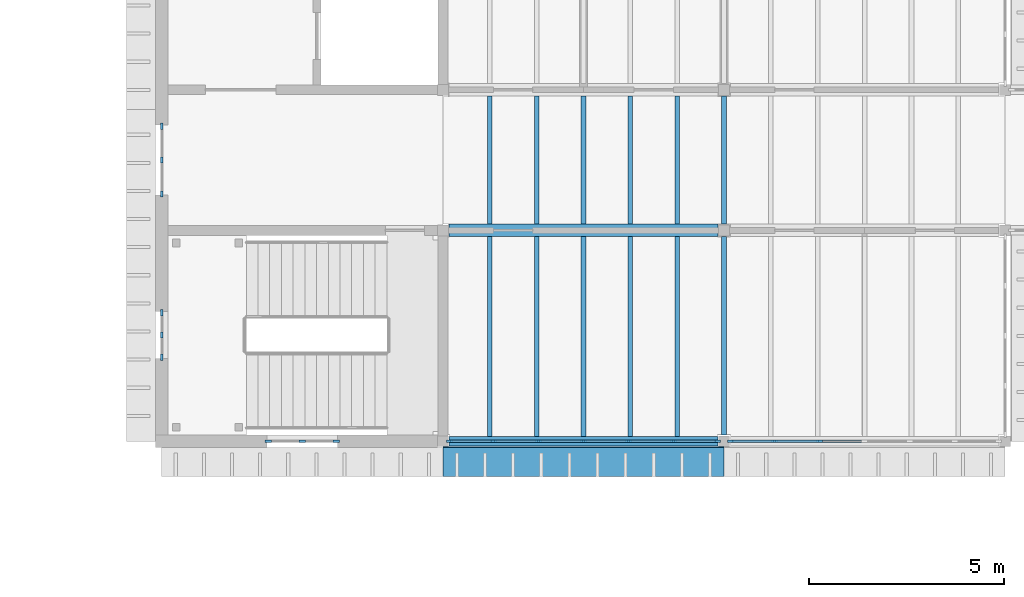
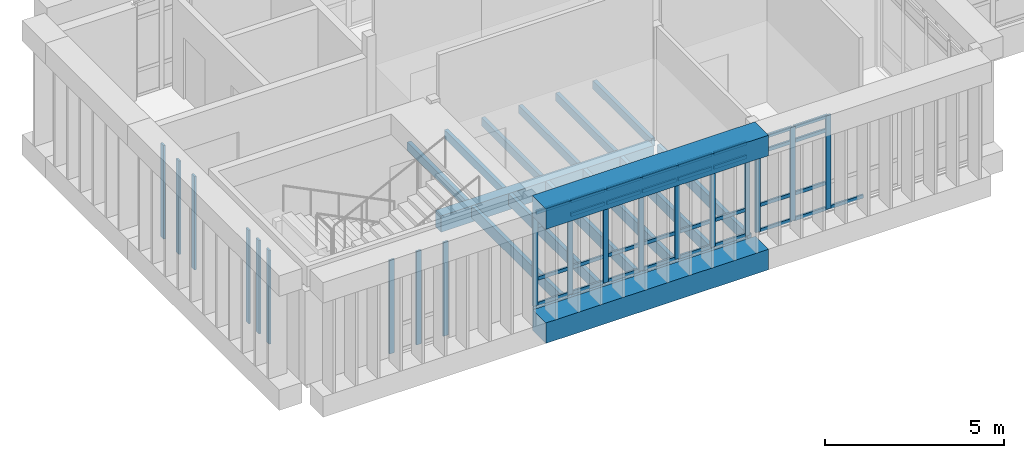
# One storey, part 6 of 51: 54 members, 14 beams, 5 elements without a shape of their own.
"""IFC4 building model written with IfcOpenShell, lengths in metres."""

from ifc_helpers import new_model, si_unit, direction, frame, origin, origin_2d, place, context, subcontext, project, spatial, rectangle, extrude, material, layer, layer_set, material_profile, profile_set, type_object, element, aggregate, save


model = new_model("IFC4")

# Units and contexts
model_context = context("Model", 3, precision=1e-05, world=origin(), true_north=direction((0.0, 1.0)))
body_context = subcontext(model_context, "Body", "Model", "MODEL_VIEW")
ifc_project = project(units=[si_unit("LENGTHUNIT", "METRE"), si_unit("AREAUNIT", "SQUARE_METRE"), si_unit("VOLUMEUNIT", "CUBIC_METRE"), si_unit("PLANEANGLEUNIT", "RADIAN"), si_unit("MASSUNIT", "GRAM", prefix="KILO")], contexts=[model_context])

# Site, building, storey
site_placement = place(None, origin())
site = spatial("IfcSite", under=ifc_project, at=site_placement, CompositionType="ELEMENT")
building_placement = place(site_placement, origin())
building = spatial("IfcBuilding", under=site, at=building_placement, Name="Mazhai Court Health Centre", CompositionType="ELEMENT")
storey_placement = place(building_placement, frame((0.0, 0.0, 14.10009765625)))
storey = spatial("IfcBuildingStorey", under=building, at=storey_placement, Name="L03", CompositionType="ELEMENT", Elevation=14.10009765625)

# Curtain wall, members
ifc_material_1 = material(Name="Teak timber frame, glazed", Category="wood")
ifc_layer_1 = layer(ifc_material_1, 0.10009765625)
ifc_layer_set_1 = layer_set([ifc_layer_1], Name="CURTAIN WALL TIMBER 900")
curtain_wall_type_1 = type_object("IfcCurtainWallType", Name="CURTAIN WALL TIMBER 900", PredefinedType="NOTDEFINED", material=ifc_layer_set_1)
curtain_wall_1_placement = place(storey_placement, origin())
curtain_wall_1 = element("IfcCurtainWall", 1, at=curtain_wall_1_placement, inside=storey, type_object=curtain_wall_type_1, Name="CW-V4-L03-A0", PredefinedType="NOTDEFINED")
ifc_material_2 = material(Name="Teak timber", Category="wood")
ifc_material_profile_1 = material_profile(ifc_material_2, rectangle(XDim=0.06005859375, YDim=0.159912109375, at=origin_2d()), Name="CW MULLION 60x160")
ifc_profile_set_1 = profile_set([ifc_material_profile_1], Name="Teak timber")
member_type_1 = type_object("IfcMemberType", Name="CW MULLION 60x160", PredefinedType="MULLION", material=ifc_profile_set_1)
member_1_placement = place(storey_placement, frame((75.469970703125, 13.39990234375, 0.0), z_axis=(0.0, 0.0, 1.0), x_axis=(0.0, -1.0, 0.0)))
member_1 = element("IfcMember", 2, at=member_1_placement, type_object=member_type_1, Name="CW mullion 1", PredefinedType="MULLION", context=body_context, shape_type="SweptSolid", body=[
    extrude(rectangle(XDim=0.06005859375, YDim=0.159912109375, at=origin_2d()), origin(), (0.0, 0.0, 1.0), 3.199951171875),
])
member_2_placement = place(storey_placement, frame((74.60009765625, 13.39990234375, 0.0), z_axis=(0.0, 0.0, 1.0), x_axis=(0.0, -1.0, 0.0)))
member_2 = element("IfcMember", 3, at=member_2_placement, type_object=member_type_1, Name="CW mullion 2", PredefinedType="MULLION", context=body_context, shape_type="SweptSolid", body=[
    extrude(rectangle(XDim=0.06005859375, YDim=0.159912109375, at=origin_2d()), origin(), (0.0, 0.0, 1.0), 3.199951171875),
])
member_3_placement = place(storey_placement, frame((73.72998046875, 13.39990234375, 0.0), z_axis=(0.0, 0.0, 1.0), x_axis=(0.0, -1.0, 0.0)))
member_3 = element("IfcMember", 4, at=member_3_placement, type_object=member_type_1, Name="CW mullion 3", PredefinedType="MULLION", context=body_context, shape_type="SweptSolid", body=[
    extrude(rectangle(XDim=0.06005859375, YDim=0.159912109375, at=origin_2d()), origin(), (0.0, 0.0, 1.0), 3.199951171875),
])
aggregate(curtain_wall_1, [member_1, member_2, member_3])

ifc_material_3 = material(Name="Teak timber frame, glazed", Category="wood")
ifc_layer_2 = layer(ifc_material_3, 0.10009765625)
ifc_layer_set_2 = layer_set([ifc_layer_2], Name="CURTAIN WALL TIMBER 600")
curtain_wall_type_2 = type_object("IfcCurtainWallType", Name="CURTAIN WALL TIMBER 600", PredefinedType="NOTDEFINED", material=ifc_layer_set_2)
curtain_wall_2_placement = place(storey_placement, origin())
curtain_wall_2 = element("IfcCurtainWall", 5, at=curtain_wall_2_placement, inside=storey, type_object=curtain_wall_type_2, Name="CW-V4-L03-SSTAIR0", PredefinedType="NOTDEFINED")
member_4_placement = place(storey_placement, frame((71.0, 15.550048828125, 0.0), z_axis=(0.0, 0.0, 1.0), x_axis=(-1.0, 0.0, 0.0)))
member_4 = element("IfcMember", 6, at=member_4_placement, type_object=member_type_1, Name="CW mullion 1", PredefinedType="MULLION", context=body_context, shape_type="SweptSolid", body=[
    extrude(rectangle(XDim=0.06005859375, YDim=0.159912109375, at=origin_2d()), origin(), (0.0, 0.0, 1.0), 3.199951171875),
])
member_5_placement = place(storey_placement, frame((71.0, 16.1201171875, 0.0), z_axis=(0.0, 0.0, 1.0), x_axis=(-1.0, 0.0, 0.0)))
member_5 = element("IfcMember", 7, at=member_5_placement, type_object=member_type_1, Name="CW mullion 2", PredefinedType="MULLION", context=body_context, shape_type="SweptSolid", body=[
    extrude(rectangle(XDim=0.06005859375, YDim=0.159912109375, at=origin_2d()), origin(), (0.0, 0.0, 1.0), 3.199951171875),
])
member_6_placement = place(storey_placement, frame((71.0, 16.68994140625, 0.0), z_axis=(0.0, 0.0, 1.0), x_axis=(-1.0, 0.0, 0.0)))
member_6 = element("IfcMember", 8, at=member_6_placement, type_object=member_type_1, Name="CW mullion 3", PredefinedType="MULLION", context=body_context, shape_type="SweptSolid", body=[
    extrude(rectangle(XDim=0.06005859375, YDim=0.159912109375, at=origin_2d()), origin(), (0.0, 0.0, 1.0), 3.199951171875),
])
aggregate(curtain_wall_2, [member_4, member_5, member_6])

curtain_wall_3_placement = place(storey_placement, origin())
curtain_wall_3 = element("IfcCurtainWall", 9, at=curtain_wall_3_placement, inside=storey, type_object=curtain_wall_type_1, Name="CW-V4-L03-SLIFT1", PredefinedType="NOTDEFINED")
member_7_placement = place(storey_placement, frame((71.0, 19.72998046875, 0.0), z_axis=(0.0, 0.0, 1.0), x_axis=(-1.0, 0.0, 0.0)))
member_7 = element("IfcMember", 10, at=member_7_placement, type_object=member_type_1, Name="CW mullion 1", PredefinedType="MULLION", context=body_context, shape_type="SweptSolid", body=[
    extrude(rectangle(XDim=0.06005859375, YDim=0.159912109375, at=origin_2d()), origin(), (0.0, 0.0, 1.0), 3.199951171875),
])
member_8_placement = place(storey_placement, frame((71.0, 20.60009765625, 0.0), z_axis=(0.0, 0.0, 1.0), x_axis=(-1.0, 0.0, 0.0)))
member_8 = element("IfcMember", 11, at=member_8_placement, type_object=member_type_1, Name="CW mullion 2", PredefinedType="MULLION", context=body_context, shape_type="SweptSolid", body=[
    extrude(rectangle(XDim=0.06005859375, YDim=0.159912109375, at=origin_2d()), origin(), (0.0, 0.0, 1.0), 3.199951171875),
])
member_9_placement = place(storey_placement, frame((71.0, 21.469970703125, 0.0), z_axis=(0.0, 0.0, 1.0), x_axis=(-1.0, 0.0, 0.0)))
member_9 = element("IfcMember", 12, at=member_9_placement, type_object=member_type_1, Name="CW mullion 3", PredefinedType="MULLION", context=body_context, shape_type="SweptSolid", body=[
    extrude(rectangle(XDim=0.06005859375, YDim=0.159912109375, at=origin_2d()), origin(), (0.0, 0.0, 1.0), 3.199951171875),
])
aggregate(curtain_wall_3, [member_7, member_8, member_9])

ifc_material_4 = material(Name="Teak timber frame, glazed", Category="wood")
ifc_layer_3 = layer(ifc_material_4, 0.10009765625)
ifc_layer_set_3 = layer_set([ifc_layer_3], Name="CURTAIN WALL TIMBER 1200")
curtain_wall_type_3 = type_object("IfcCurtainWallType", Name="CURTAIN WALL TIMBER 1200", PredefinedType="NOTDEFINED", material=ifc_layer_set_3)
curtain_wall_4_placement = place(storey_placement, origin())
curtain_wall_4 = element("IfcCurtainWall", 13, at=curtain_wall_4_placement, inside=storey, type_object=curtain_wall_type_3, Name="CW-V4-L03-A1", PredefinedType="NOTDEFINED")
member_10_placement = place(storey_placement, frame((85.22998046875, 13.39990234375, 0.0), z_axis=(0.0, 0.0, 1.0), x_axis=(0.0, -1.0, 0.0)))
member_10 = element("IfcMember", 14, at=member_10_placement, type_object=member_type_1, Name="CW mullion 1", PredefinedType="MULLION", context=body_context, shape_type="SweptSolid", body=[
    extrude(rectangle(XDim=0.06005859375, YDim=0.159912109375, at=origin_2d()), origin(), (0.0, 0.0, 1.0), 3.199951171875),
])
member_11_placement = place(storey_placement, frame((84.106689453125, 13.39990234375, 0.0), z_axis=(0.0, 0.0, 1.0), x_axis=(0.0, -1.0, 0.0)))
member_11 = element("IfcMember", 15, at=member_11_placement, type_object=member_type_1, Name="CW mullion 2", PredefinedType="MULLION", context=body_context, shape_type="SweptSolid", body=[
    extrude(rectangle(XDim=0.06005859375, YDim=0.159912109375, at=origin_2d()), origin(), (0.0, 0.0, 1.0), 3.199951171875),
])
member_12_placement = place(storey_placement, frame((82.953369140625, 13.39990234375, 0.0), z_axis=(0.0, 0.0, 1.0), x_axis=(0.0, -1.0, 0.0)))
member_12 = element("IfcMember", 16, at=member_12_placement, type_object=member_type_1, Name="CW mullion 3", PredefinedType="MULLION", context=body_context, shape_type="SweptSolid", body=[
    extrude(rectangle(XDim=0.06005859375, YDim=0.159912109375, at=origin_2d()), origin(), (0.0, 0.0, 1.0), 3.199951171875),
])
member_13_placement = place(storey_placement, frame((81.800048828125, 13.39990234375, 0.0), z_axis=(0.0, 0.0, 1.0), x_axis=(0.0, -1.0, 0.0)))
member_13 = element("IfcMember", 17, at=member_13_placement, type_object=member_type_1, Name="CW mullion 4", PredefinedType="MULLION", context=body_context, shape_type="SweptSolid", body=[
    extrude(rectangle(XDim=0.06005859375, YDim=0.159912109375, at=origin_2d()), origin(), (0.0, 0.0, 1.0), 3.199951171875),
])
member_14_placement = place(storey_placement, frame((80.646728515625, 13.39990234375, 0.0), z_axis=(0.0, 0.0, 1.0), x_axis=(0.0, -1.0, 0.0)))
member_14 = element("IfcMember", 18, at=member_14_placement, type_object=member_type_1, Name="CW mullion 5", PredefinedType="MULLION", context=body_context, shape_type="SweptSolid", body=[
    extrude(rectangle(XDim=0.06005859375, YDim=0.159912109375, at=origin_2d()), origin(), (0.0, 0.0, 1.0), 3.199951171875),
])
member_15_placement = place(storey_placement, frame((79.493408203125, 13.39990234375, 0.0), z_axis=(0.0, 0.0, 1.0), x_axis=(0.0, -1.0, 0.0)))
member_15 = element("IfcMember", 19, at=member_15_placement, type_object=member_type_1, Name="CW mullion 6", PredefinedType="MULLION", context=body_context, shape_type="SweptSolid", body=[
    extrude(rectangle(XDim=0.06005859375, YDim=0.159912109375, at=origin_2d()), origin(), (0.0, 0.0, 1.0), 3.199951171875),
])
member_16_placement = place(storey_placement, frame((78.3701171875, 13.39990234375, 0.0), z_axis=(0.0, 0.0, 1.0), x_axis=(0.0, -1.0, 0.0)))
member_16 = element("IfcMember", 20, at=member_16_placement, type_object=member_type_1, Name="CW mullion 7", PredefinedType="MULLION", context=body_context, shape_type="SweptSolid", body=[
    extrude(rectangle(XDim=0.06005859375, YDim=0.159912109375, at=origin_2d()), origin(), (0.0, 0.0, 1.0), 3.199951171875),
])

curtain_wall_5_placement = place(storey_placement, origin())
curtain_wall_5 = element("IfcCurtainWall", 21, at=curtain_wall_5_placement, inside=storey, type_object=curtain_wall_type_3, Name="CW-V4-L03-A2", PredefinedType="NOTDEFINED")
member_17_placement = place(storey_placement, frame((87.8466796875, 13.39990234375, 0.0), z_axis=(0.0, 0.0, 1.0), x_axis=(0.0, -1.0, 0.0)))
member_17 = element("IfcMember", 22, at=member_17_placement, type_object=member_type_1, Name="CW mullion 5", PredefinedType="MULLION", context=body_context, shape_type="SweptSolid", body=[
    extrude(rectangle(XDim=0.06005859375, YDim=0.159912109375, at=origin_2d()), origin(), (0.0, 0.0, 1.0), 3.199951171875),
])
member_18_placement = place(storey_placement, frame((86.693359375, 13.39990234375, 0.0), z_axis=(0.0, 0.0, 1.0), x_axis=(0.0, -1.0, 0.0)))
member_18 = element("IfcMember", 23, at=member_18_placement, type_object=member_type_1, Name="CW mullion 6", PredefinedType="MULLION", context=body_context, shape_type="SweptSolid", body=[
    extrude(rectangle(XDim=0.06005859375, YDim=0.159912109375, at=origin_2d()), origin(), (0.0, 0.0, 1.0), 3.199951171875),
])
member_19_placement = place(storey_placement, frame((85.570068359375, 13.39990234375, 0.0), z_axis=(0.0, 0.0, 1.0), x_axis=(0.0, -1.0, 0.0)))
member_19 = element("IfcMember", 24, at=member_19_placement, type_object=member_type_1, Name="CW mullion 7", PredefinedType="MULLION", context=body_context, shape_type="SweptSolid", body=[
    extrude(rectangle(XDim=0.06005859375, YDim=0.159912109375, at=origin_2d()), origin(), (0.0, 0.0, 1.0), 3.199951171875),
])

# Member
ifc_material_5 = material(Name="Teak timber", Category="wood")
ifc_material_profile_2 = material_profile(ifc_material_5, rectangle(XDim=0.06005859375, YDim=0.1201171875, at=origin_2d()), Name="CW TRANSOM 60x120")
ifc_profile_set_2 = profile_set([ifc_material_profile_2], Name="Teak timber")
member_type_2 = type_object("IfcMemberType", Name="CW TRANSOM 60x120", PredefinedType="USERDEFINED", material=ifc_profile_set_2)
member_20_placement = place(storey_placement, frame((85.199951171875, 13.39990234375, 0.02978515625), z_axis=(-1.0, 0.0, 0.0), x_axis=(0.0, -1.0, 0.0)))
member_20 = element("IfcMember", 25, at=member_20_placement, type_object=member_type_2, Name="CW transom 1.1", ObjectType="TRANSOM", PredefinedType="USERDEFINED", context=body_context, shape_type="SweptSolid", body=[
    extrude(rectangle(XDim=0.06005859375, YDim=0.1201171875, at=origin_2d()), origin(), (0.0, 0.0, 1.0), 1.063232421875),
])

member_21_placement = place(storey_placement, frame((85.199951171875, 13.39990234375, 0.89990234375), z_axis=(-1.0, 0.0, 0.0), x_axis=(0.0, -1.0, 0.0)))
member_21 = element("IfcMember", 26, at=member_21_placement, type_object=member_type_2, Name="CW transom 1.2", ObjectType="TRANSOM", PredefinedType="USERDEFINED", context=body_context, shape_type="SweptSolid", body=[
    extrude(rectangle(XDim=0.06005859375, YDim=0.1201171875, at=origin_2d()), origin(), (0.0, 0.0, 1.0), 1.063232421875),
])

member_22_placement = place(storey_placement, frame((85.199951171875, 13.39990234375, 2.699951171875), z_axis=(-1.0, 0.0, 0.0), x_axis=(0.0, -1.0, 0.0)))
member_22 = element("IfcMember", 27, at=member_22_placement, type_object=member_type_2, Name="CW transom 1.3", ObjectType="TRANSOM", PredefinedType="USERDEFINED", context=body_context, shape_type="SweptSolid", body=[
    extrude(rectangle(XDim=0.06005859375, YDim=0.1201171875, at=origin_2d()), origin(), (0.0, 0.0, 1.0), 1.063232421875),
])

member_23_placement = place(storey_placement, frame((85.199951171875, 13.39990234375, 3.169921875), z_axis=(-1.0, 0.0, 0.0), x_axis=(0.0, -1.0, 0.0)))
member_23 = element("IfcMember", 28, at=member_23_placement, type_object=member_type_2, Name="CW transom 1.4", ObjectType="TRANSOM", PredefinedType="USERDEFINED", context=body_context, shape_type="SweptSolid", body=[
    extrude(rectangle(XDim=0.06005859375, YDim=0.1201171875, at=origin_2d()), origin(), (0.0, 0.0, 1.0), 1.063232421875),
])

member_24_placement = place(storey_placement, frame((84.07666015625, 13.39990234375, 0.02978515625), z_axis=(-1.0, 0.0, 0.0), x_axis=(0.0, -1.0, 0.0)))
member_24 = element("IfcMember", 29, at=member_24_placement, type_object=member_type_2, Name="CW transom 2.1", ObjectType="TRANSOM", PredefinedType="USERDEFINED", context=body_context, shape_type="SweptSolid", body=[
    extrude(rectangle(XDim=0.06005859375, YDim=0.1201171875, at=origin_2d()), origin(), (0.0, 0.0, 1.0), 1.09326171875),
])

member_25_placement = place(storey_placement, frame((84.07666015625, 13.39990234375, 0.89990234375), z_axis=(-1.0, 0.0, 0.0), x_axis=(0.0, -1.0, 0.0)))
member_25 = element("IfcMember", 30, at=member_25_placement, type_object=member_type_2, Name="CW transom 2.2", ObjectType="TRANSOM", PredefinedType="USERDEFINED", context=body_context, shape_type="SweptSolid", body=[
    extrude(rectangle(XDim=0.06005859375, YDim=0.1201171875, at=origin_2d()), origin(), (0.0, 0.0, 1.0), 1.09326171875),
])

member_26_placement = place(storey_placement, frame((84.07666015625, 13.39990234375, 2.699951171875), z_axis=(-1.0, 0.0, 0.0), x_axis=(0.0, -1.0, 0.0)))
member_26 = element("IfcMember", 31, at=member_26_placement, type_object=member_type_2, Name="CW transom 2.3", ObjectType="TRANSOM", PredefinedType="USERDEFINED", context=body_context, shape_type="SweptSolid", body=[
    extrude(rectangle(XDim=0.06005859375, YDim=0.1201171875, at=origin_2d()), origin(), (0.0, 0.0, 1.0), 1.09326171875),
])

member_27_placement = place(storey_placement, frame((84.07666015625, 13.39990234375, 3.169921875), z_axis=(-1.0, 0.0, 0.0), x_axis=(0.0, -1.0, 0.0)))
member_27 = element("IfcMember", 32, at=member_27_placement, type_object=member_type_2, Name="CW transom 2.4", ObjectType="TRANSOM", PredefinedType="USERDEFINED", context=body_context, shape_type="SweptSolid", body=[
    extrude(rectangle(XDim=0.06005859375, YDim=0.1201171875, at=origin_2d()), origin(), (0.0, 0.0, 1.0), 1.09326171875),
])

member_28_placement = place(storey_placement, frame((82.92333984375, 13.39990234375, 0.02978515625), z_axis=(-1.0, 0.0, 0.0), x_axis=(0.0, -1.0, 0.0)))
member_28 = element("IfcMember", 33, at=member_28_placement, type_object=member_type_2, Name="CW transom 3.1", ObjectType="TRANSOM", PredefinedType="USERDEFINED", context=body_context, shape_type="SweptSolid", body=[
    extrude(rectangle(XDim=0.06005859375, YDim=0.1201171875, at=origin_2d()), origin(), (0.0, 0.0, 1.0), 1.09326171875),
])

member_29_placement = place(storey_placement, frame((82.92333984375, 13.39990234375, 0.89990234375), z_axis=(-1.0, 0.0, 0.0), x_axis=(0.0, -1.0, 0.0)))
member_29 = element("IfcMember", 34, at=member_29_placement, type_object=member_type_2, Name="CW transom 3.2", ObjectType="TRANSOM", PredefinedType="USERDEFINED", context=body_context, shape_type="SweptSolid", body=[
    extrude(rectangle(XDim=0.06005859375, YDim=0.1201171875, at=origin_2d()), origin(), (0.0, 0.0, 1.0), 1.09326171875),
])

member_30_placement = place(storey_placement, frame((82.92333984375, 13.39990234375, 2.699951171875), z_axis=(-1.0, 0.0, 0.0), x_axis=(0.0, -1.0, 0.0)))
member_30 = element("IfcMember", 35, at=member_30_placement, type_object=member_type_2, Name="CW transom 3.3", ObjectType="TRANSOM", PredefinedType="USERDEFINED", context=body_context, shape_type="SweptSolid", body=[
    extrude(rectangle(XDim=0.06005859375, YDim=0.1201171875, at=origin_2d()), origin(), (0.0, 0.0, 1.0), 1.09326171875),
])

member_31_placement = place(storey_placement, frame((82.92333984375, 13.39990234375, 3.169921875), z_axis=(-1.0, 0.0, 0.0), x_axis=(0.0, -1.0, 0.0)))
member_31 = element("IfcMember", 36, at=member_31_placement, type_object=member_type_2, Name="CW transom 3.4", ObjectType="TRANSOM", PredefinedType="USERDEFINED", context=body_context, shape_type="SweptSolid", body=[
    extrude(rectangle(XDim=0.06005859375, YDim=0.1201171875, at=origin_2d()), origin(), (0.0, 0.0, 1.0), 1.09326171875),
])

member_32_placement = place(storey_placement, frame((81.77001953125, 13.39990234375, 0.02978515625), z_axis=(-1.0, 0.0, 0.0), x_axis=(0.0, -1.0, 0.0)))
member_32 = element("IfcMember", 37, at=member_32_placement, type_object=member_type_2, Name="CW transom 4.1", ObjectType="TRANSOM", PredefinedType="USERDEFINED", context=body_context, shape_type="SweptSolid", body=[
    extrude(rectangle(XDim=0.06005859375, YDim=0.1201171875, at=origin_2d()), origin(), (0.0, 0.0, 1.0), 1.09326171875),
])

member_33_placement = place(storey_placement, frame((81.77001953125, 13.39990234375, 0.89990234375), z_axis=(-1.0, 0.0, 0.0), x_axis=(0.0, -1.0, 0.0)))
member_33 = element("IfcMember", 38, at=member_33_placement, type_object=member_type_2, Name="CW transom 4.2", ObjectType="TRANSOM", PredefinedType="USERDEFINED", context=body_context, shape_type="SweptSolid", body=[
    extrude(rectangle(XDim=0.06005859375, YDim=0.1201171875, at=origin_2d()), origin(), (0.0, 0.0, 1.0), 1.09326171875),
])

member_34_placement = place(storey_placement, frame((81.77001953125, 13.39990234375, 2.699951171875), z_axis=(-1.0, 0.0, 0.0), x_axis=(0.0, -1.0, 0.0)))
member_34 = element("IfcMember", 39, at=member_34_placement, type_object=member_type_2, Name="CW transom 4.3", ObjectType="TRANSOM", PredefinedType="USERDEFINED", context=body_context, shape_type="SweptSolid", body=[
    extrude(rectangle(XDim=0.06005859375, YDim=0.1201171875, at=origin_2d()), origin(), (0.0, 0.0, 1.0), 1.09326171875),
])

member_35_placement = place(storey_placement, frame((81.77001953125, 13.39990234375, 3.169921875), z_axis=(-1.0, 0.0, 0.0), x_axis=(0.0, -1.0, 0.0)))
member_35 = element("IfcMember", 40, at=member_35_placement, type_object=member_type_2, Name="CW transom 4.4", ObjectType="TRANSOM", PredefinedType="USERDEFINED", context=body_context, shape_type="SweptSolid", body=[
    extrude(rectangle(XDim=0.06005859375, YDim=0.1201171875, at=origin_2d()), origin(), (0.0, 0.0, 1.0), 1.09326171875),
])

member_36_placement = place(storey_placement, frame((80.61669921875, 13.39990234375, 0.02978515625), z_axis=(-1.0, 0.0, 0.0), x_axis=(0.0, -1.0, 0.0)))
member_36 = element("IfcMember", 41, at=member_36_placement, type_object=member_type_2, Name="CW transom 5.1", ObjectType="TRANSOM", PredefinedType="USERDEFINED", context=body_context, shape_type="SweptSolid", body=[
    extrude(rectangle(XDim=0.06005859375, YDim=0.1201171875, at=origin_2d()), origin(), (0.0, 0.0, 1.0), 1.09326171875),
])

member_37_placement = place(storey_placement, frame((80.61669921875, 13.39990234375, 0.89990234375), z_axis=(-1.0, 0.0, 0.0), x_axis=(0.0, -1.0, 0.0)))
member_37 = element("IfcMember", 42, at=member_37_placement, type_object=member_type_2, Name="CW transom 5.2", ObjectType="TRANSOM", PredefinedType="USERDEFINED", context=body_context, shape_type="SweptSolid", body=[
    extrude(rectangle(XDim=0.06005859375, YDim=0.1201171875, at=origin_2d()), origin(), (0.0, 0.0, 1.0), 1.09326171875),
])

member_38_placement = place(storey_placement, frame((80.61669921875, 13.39990234375, 2.699951171875), z_axis=(-1.0, 0.0, 0.0), x_axis=(0.0, -1.0, 0.0)))
member_38 = element("IfcMember", 43, at=member_38_placement, type_object=member_type_2, Name="CW transom 5.3", ObjectType="TRANSOM", PredefinedType="USERDEFINED", context=body_context, shape_type="SweptSolid", body=[
    extrude(rectangle(XDim=0.06005859375, YDim=0.1201171875, at=origin_2d()), origin(), (0.0, 0.0, 1.0), 1.09326171875),
])

member_39_placement = place(storey_placement, frame((80.61669921875, 13.39990234375, 3.169921875), z_axis=(-1.0, 0.0, 0.0), x_axis=(0.0, -1.0, 0.0)))
member_39 = element("IfcMember", 44, at=member_39_placement, type_object=member_type_2, Name="CW transom 5.4", ObjectType="TRANSOM", PredefinedType="USERDEFINED", context=body_context, shape_type="SweptSolid", body=[
    extrude(rectangle(XDim=0.06005859375, YDim=0.1201171875, at=origin_2d()), origin(), (0.0, 0.0, 1.0), 1.09326171875),
])

member_40_placement = place(storey_placement, frame((79.46337890625, 13.39990234375, 0.02978515625), z_axis=(-1.0, 0.0, 0.0), x_axis=(0.0, -1.0, 0.0)))
member_40 = element("IfcMember", 45, at=member_40_placement, type_object=member_type_2, Name="CW transom 6.1", ObjectType="TRANSOM", PredefinedType="USERDEFINED", context=body_context, shape_type="SweptSolid", body=[
    extrude(rectangle(XDim=0.06005859375, YDim=0.1201171875, at=origin_2d()), origin(), (0.0, 0.0, 1.0), 1.0634765625),
])

member_41_placement = place(storey_placement, frame((79.46337890625, 13.39990234375, 0.89990234375), z_axis=(-1.0, 0.0, 0.0), x_axis=(0.0, -1.0, 0.0)))
member_41 = element("IfcMember", 46, at=member_41_placement, type_object=member_type_2, Name="CW transom 6.2", ObjectType="TRANSOM", PredefinedType="USERDEFINED", context=body_context, shape_type="SweptSolid", body=[
    extrude(rectangle(XDim=0.06005859375, YDim=0.1201171875, at=origin_2d()), origin(), (0.0, 0.0, 1.0), 1.0634765625),
])

member_42_placement = place(storey_placement, frame((79.46337890625, 13.39990234375, 2.699951171875), z_axis=(-1.0, 0.0, 0.0), x_axis=(0.0, -1.0, 0.0)))
member_42 = element("IfcMember", 47, at=member_42_placement, type_object=member_type_2, Name="CW transom 6.3", ObjectType="TRANSOM", PredefinedType="USERDEFINED", context=body_context, shape_type="SweptSolid", body=[
    extrude(rectangle(XDim=0.06005859375, YDim=0.1201171875, at=origin_2d()), origin(), (0.0, 0.0, 1.0), 1.0634765625),
])

member_43_placement = place(storey_placement, frame((79.46337890625, 13.39990234375, 3.169921875), z_axis=(-1.0, 0.0, 0.0), x_axis=(0.0, -1.0, 0.0)))
member_43 = element("IfcMember", 48, at=member_43_placement, type_object=member_type_2, Name="CW transom 6.4", ObjectType="TRANSOM", PredefinedType="USERDEFINED", context=body_context, shape_type="SweptSolid", body=[
    extrude(rectangle(XDim=0.06005859375, YDim=0.1201171875, at=origin_2d()), origin(), (0.0, 0.0, 1.0), 1.0634765625),
])

aggregate(curtain_wall_4, [member_10, member_11, member_12, member_13, member_14, member_15, member_16, member_20, member_21, member_22, member_23, member_24, member_25, member_26, member_27, member_28, member_29, member_30, member_31, member_32, member_33, member_34, member_35, member_36, member_37, member_38, member_39, member_40, member_41, member_42, member_43])

member_44_placement = place(storey_placement, frame((88.969970703125, 13.39990234375, 0.02978515625), z_axis=(-1.0, 0.0, 0.0), x_axis=(0.0, -1.0, 0.0)))
member_44 = element("IfcMember", 49, at=member_44_placement, type_object=member_type_2, Name="CW transom 4.1", ObjectType="TRANSOM", PredefinedType="USERDEFINED", context=body_context, shape_type="SweptSolid", body=[
    extrude(rectangle(XDim=0.06005859375, YDim=0.1201171875, at=origin_2d()), origin(), (0.0, 0.0, 1.0), 1.09326171875),
])

member_45_placement = place(storey_placement, frame((87.816650390625, 13.39990234375, 0.02978515625), z_axis=(-1.0, 0.0, 0.0), x_axis=(0.0, -1.0, 0.0)))
member_45 = element("IfcMember", 50, at=member_45_placement, type_object=member_type_2, Name="CW transom 5.1", ObjectType="TRANSOM", PredefinedType="USERDEFINED", context=body_context, shape_type="SweptSolid", body=[
    extrude(rectangle(XDim=0.06005859375, YDim=0.1201171875, at=origin_2d()), origin(), (0.0, 0.0, 1.0), 1.09326171875),
])

member_46_placement = place(storey_placement, frame((87.816650390625, 13.39990234375, 0.89990234375), z_axis=(-1.0, 0.0, 0.0), x_axis=(0.0, -1.0, 0.0)))
member_46 = element("IfcMember", 51, at=member_46_placement, type_object=member_type_2, Name="CW transom 5.2", ObjectType="TRANSOM", PredefinedType="USERDEFINED", context=body_context, shape_type="SweptSolid", body=[
    extrude(rectangle(XDim=0.06005859375, YDim=0.1201171875, at=origin_2d()), origin(), (0.0, 0.0, 1.0), 1.09326171875),
])

member_47_placement = place(storey_placement, frame((87.816650390625, 13.39990234375, 2.699951171875), z_axis=(-1.0, 0.0, 0.0), x_axis=(0.0, -1.0, 0.0)))
member_47 = element("IfcMember", 52, at=member_47_placement, type_object=member_type_2, Name="CW transom 5.3", ObjectType="TRANSOM", PredefinedType="USERDEFINED", context=body_context, shape_type="SweptSolid", body=[
    extrude(rectangle(XDim=0.06005859375, YDim=0.1201171875, at=origin_2d()), origin(), (0.0, 0.0, 1.0), 1.09326171875),
])

member_48_placement = place(storey_placement, frame((87.816650390625, 13.39990234375, 3.169921875), z_axis=(-1.0, 0.0, 0.0), x_axis=(0.0, -1.0, 0.0)))
member_48 = element("IfcMember", 53, at=member_48_placement, type_object=member_type_2, Name="CW transom 5.4", ObjectType="TRANSOM", PredefinedType="USERDEFINED", context=body_context, shape_type="SweptSolid", body=[
    extrude(rectangle(XDim=0.06005859375, YDim=0.1201171875, at=origin_2d()), origin(), (0.0, 0.0, 1.0), 1.09326171875),
])

member_49_placement = place(storey_placement, frame((86.663330078125, 13.39990234375, 0.02978515625), z_axis=(-1.0, 0.0, 0.0), x_axis=(0.0, -1.0, 0.0)))
member_49 = element("IfcMember", 54, at=member_49_placement, type_object=member_type_2, Name="CW transom 6.1", ObjectType="TRANSOM", PredefinedType="USERDEFINED", context=body_context, shape_type="SweptSolid", body=[
    extrude(rectangle(XDim=0.06005859375, YDim=0.1201171875, at=origin_2d()), origin(), (0.0, 0.0, 1.0), 1.063232421875),
])

member_50_placement = place(storey_placement, frame((86.663330078125, 13.39990234375, 0.89990234375), z_axis=(-1.0, 0.0, 0.0), x_axis=(0.0, -1.0, 0.0)))
member_50 = element("IfcMember", 55, at=member_50_placement, type_object=member_type_2, Name="CW transom 6.2", ObjectType="TRANSOM", PredefinedType="USERDEFINED", context=body_context, shape_type="SweptSolid", body=[
    extrude(rectangle(XDim=0.06005859375, YDim=0.1201171875, at=origin_2d()), origin(), (0.0, 0.0, 1.0), 1.063232421875),
])

member_51_placement = place(storey_placement, frame((86.663330078125, 13.39990234375, 2.699951171875), z_axis=(-1.0, 0.0, 0.0), x_axis=(0.0, -1.0, 0.0)))
member_51 = element("IfcMember", 56, at=member_51_placement, type_object=member_type_2, Name="CW transom 6.3", ObjectType="TRANSOM", PredefinedType="USERDEFINED", context=body_context, shape_type="SweptSolid", body=[
    extrude(rectangle(XDim=0.06005859375, YDim=0.1201171875, at=origin_2d()), origin(), (0.0, 0.0, 1.0), 1.063232421875),
])

member_52_placement = place(storey_placement, frame((86.663330078125, 13.39990234375, 3.169921875), z_axis=(-1.0, 0.0, 0.0), x_axis=(0.0, -1.0, 0.0)))
member_52 = element("IfcMember", 57, at=member_52_placement, type_object=member_type_2, Name="CW transom 6.4", ObjectType="TRANSOM", PredefinedType="USERDEFINED", context=body_context, shape_type="SweptSolid", body=[
    extrude(rectangle(XDim=0.06005859375, YDim=0.1201171875, at=origin_2d()), origin(), (0.0, 0.0, 1.0), 1.063232421875),
])

aggregate(curtain_wall_5, [member_17, member_18, member_19, member_44, member_45, member_46, member_47, member_48, member_49, member_50, member_51, member_52])

# Members
ifc_material_6 = material(Name="Glulam GL24h", Category="wood")
ifc_material_profile_3 = material_profile(ifc_material_6, rectangle(XDim=0.739990234375, YDim=0.699951171875, at=origin_2d()), Name="FIN RAIL 740x700")
ifc_profile_set_3 = profile_set([ifc_material_profile_3], Name="Glulam GL24h")
member_type_3 = type_object("IfcMemberType", Name="FIN RAIL 740x700", PredefinedType="USERDEFINED", material=ifc_profile_set_3)
member_53_placement = place(storey_placement, frame((85.39990234375, 12.8701171875, -0.35009765625), z_axis=(-1.0, 0.0, 0.0), x_axis=(0.0, -1.0, 0.0)))
element("IfcMember", 58, at=member_53_placement, inside=storey, type_object=member_type_3, Name="FR-V4-A1-L03", ObjectType="FIN RAIL", PredefinedType="USERDEFINED", context=body_context, shape_type="SweptSolid", body=[
    extrude(rectangle(XDim=0.739990234375, YDim=0.699951171875, at=origin_2d()), origin(), (0.0, 0.0, 1.0), 7.199951171875),
])
ifc_material_7 = material(Name="Glulam GL24h", Category="wood")
ifc_material_profile_4 = material_profile(ifc_material_7, rectangle(XDim=0.760009765625, YDim=0.699951171875, at=origin_2d()), Name="FIN RAIL 760x700")
ifc_profile_set_4 = profile_set([ifc_material_profile_4], Name="Glulam GL24h")
member_type_4 = type_object("IfcMemberType", Name="FIN RAIL 760x700", PredefinedType="USERDEFINED", material=ifc_profile_set_4)
member_54_placement = place(storey_placement, frame((85.39990234375, 12.8798828125, 3.5498046875), z_axis=(-1.0, 0.0, 0.0), x_axis=(0.0, -1.0, 0.0)))
element("IfcMember", 59, at=member_54_placement, inside=storey, type_object=member_type_4, Name="FR-V4-A1-RF", ObjectType="FIN RAIL", PredefinedType="USERDEFINED", context=body_context, shape_type="SweptSolid", body=[
    extrude(rectangle(XDim=0.760009765625, YDim=0.699951171875, at=origin_2d()), origin(), (0.0, 0.0, 1.0), 7.199951171875),
])

# Beams
ifc_material_8 = material(Name="Glulam GL24h", Category="wood")
ifc_material_profile_5 = material_profile(ifc_material_8, rectangle(XDim=0.1201171875, YDim=0.280029296875, at=origin_2d()), Name="GL24h 120x280")
ifc_profile_set_5 = profile_set([ifc_material_profile_5], Name="Glulam GL24h")
beam_type_1 = type_object("IfcBeamType", Name="GL24h 120x280 joist", PredefinedType="JOIST", material=ifc_profile_set_5)
for number, where, z_axis, x_axis, name in (
    (60, (79.39990234375, 18.9599609375, -0.260009765625), (0.0, 1.0, 0.0), (-1.0, 0.0, 0.0), "joist-V4-L03-1-B1"),
    (61, (80.60009765625, 18.9599609375, -0.260009765625), (0.0, 1.0, 0.0), (-1.0, 0.0, 0.0), "joist-V4-L03-1-B2"),
    (62, (81.800048828125, 18.9599609375, -0.260009765625), (0.0, 1.0, 0.0), (-1.0, 0.0, 0.0), "joist-V4-L03-1-B3"),
    (63, (83.0, 18.9599609375, -0.260009765625), (0.0, 1.0, 0.0), (-1.0, 0.0, 0.0), "joist-V4-L03-1-B4"),
    (64, (84.199951171875, 18.9599609375, -0.260009765625), (0.0, 1.0, 0.0), (-1.0, 0.0, 0.0), "joist-V4-L03-1-B5"),
    (65, (85.39990234375, 18.9599609375, -0.260009765625), (0.0, 1.0, 0.0), (-1.0, 0.0, 0.0), "joist-V4-L03-2-B0"),
):
    element("IfcBeam", number, at=place(storey_placement, frame(where, z_axis=z_axis, x_axis=x_axis)), inside=storey, type_object=beam_type_1, Name=name, PredefinedType="JOIST", context=body_context, shape_type="SweptSolid", body=[
        extrude(rectangle(XDim=0.1201171875, YDim=0.280029296875, at=origin_2d()), origin(), (0.0, 0.0, 1.0), 3.280029296875),
    ])
ifc_material_9 = material(Name="Glulam GL24h", Category="wood")
ifc_material_profile_6 = material_profile(ifc_material_9, rectangle(XDim=0.1201171875, YDim=0.39990234375, at=origin_2d()), Name="GL24h 120x400")
ifc_profile_set_6 = profile_set([ifc_material_profile_6], Name="Glulam GL24h")
beam_type_2 = type_object("IfcBeamType", Name="GL24h 120x400 joist", PredefinedType="JOIST", material=ifc_profile_set_6)
for number, where, z_axis, x_axis, name in (
    (66, (79.39990234375, 13.52001953125, -0.320068359375), (0.0, 1.0, 0.0), (-1.0, 0.0, 0.0), "joist-V4-L03-1-A1"),
    (67, (80.60009765625, 13.52001953125, -0.320068359375), (0.0, 1.0, 0.0), (-1.0, 0.0, 0.0), "joist-V4-L03-1-A2"),
    (68, (81.800048828125, 13.52001953125, -0.320068359375), (0.0, 1.0, 0.0), (-1.0, 0.0, 0.0), "joist-V4-L03-1-A3"),
    (69, (83.0, 13.52001953125, -0.320068359375), (0.0, 1.0, 0.0), (-1.0, 0.0, 0.0), "joist-V4-L03-1-A4"),
    (70, (84.199951171875, 13.52001953125, -0.320068359375), (0.0, 1.0, 0.0), (-1.0, 0.0, 0.0), "joist-V4-L03-1-A5"),
):
    element("IfcBeam", number, at=place(storey_placement, frame(where, z_axis=z_axis, x_axis=x_axis)), inside=storey, type_object=beam_type_2, Name=name, PredefinedType="JOIST", context=body_context, shape_type="SweptSolid", body=[
        extrude(rectangle(XDim=0.1201171875, YDim=0.39990234375, at=origin_2d()), origin(), (0.0, 0.0, 1.0), 5.119873046875),
    ])
beam_1_placement = place(storey_placement, frame((85.39990234375, 13.56005859375, -0.320068359375), z_axis=(0.0, 1.0, 0.0), x_axis=(-1.0, 0.0, 0.0)))
element("IfcBeam", 71, at=beam_1_placement, inside=storey, type_object=beam_type_2, Name="joist-V4-L03-2-A0", PredefinedType="JOIST", context=body_context, shape_type="SweptSolid", body=[
    extrude(rectangle(XDim=0.1201171875, YDim=0.39990234375, at=origin_2d()), origin(), (0.0, 0.0, 1.0), 5.079833984375),
])
ifc_material_10 = material(Name="Glulam GL28h", Category="wood")
ifc_material_profile_7 = material_profile(ifc_material_10, rectangle(XDim=0.239990234375, YDim=0.56005859375, at=origin_2d()), Name="GL28h 240x560")
ifc_profile_set_7 = profile_set([ifc_material_profile_7], Name="Glulam GL28h")
beam_type_3 = type_object("IfcBeamType", Name="GL28h 240x560 beam", PredefinedType="BEAM", material=ifc_profile_set_7)
beam_2_placement = place(storey_placement, frame((78.360107421875, 13.39990234375, -0.400146484375), z_axis=(1.0, 0.0, 0.0), x_axis=(0.0, 1.0, 0.0)))
element("IfcBeam", 72, at=beam_2_placement, inside=storey, type_object=beam_type_3, Name="beam-V4-L03-1-A", PredefinedType="BEAM", context=body_context, shape_type="SweptSolid", body=[
    extrude(rectangle(XDim=0.239990234375, YDim=0.56005859375, at=origin_2d()), origin(), (0.0, 0.0, 1.0), 6.8798828125),
])
ifc_material_11 = material(Name="Glulam GL28h", Category="wood")
ifc_material_profile_8 = material_profile(ifc_material_11, rectangle(XDim=0.320068359375, YDim=0.56005859375, at=origin_2d()), Name="GL28h 320x560")
ifc_profile_set_8 = profile_set([ifc_material_profile_8], Name="Glulam GL28h")
beam_type_4 = type_object("IfcBeamType", Name="GL28h 320x560 beam", PredefinedType="BEAM", material=ifc_profile_set_8)
beam_3_placement = place(storey_placement, frame((78.360107421875, 18.800048828125, -0.400146484375), z_axis=(1.0, 0.0, 0.0), x_axis=(0.0, 1.0, 0.0)))
element("IfcBeam", 73, at=beam_3_placement, inside=storey, type_object=beam_type_4, Name="beam-V4-L03-1-B", PredefinedType="BEAM", context=body_context, shape_type="SweptSolid", body=[
    extrude(rectangle(XDim=0.320068359375, YDim=0.56005859375, at=origin_2d()), origin(), (0.0, 0.0, 1.0), 6.8798828125),
])

save(model, "model.ifc")
